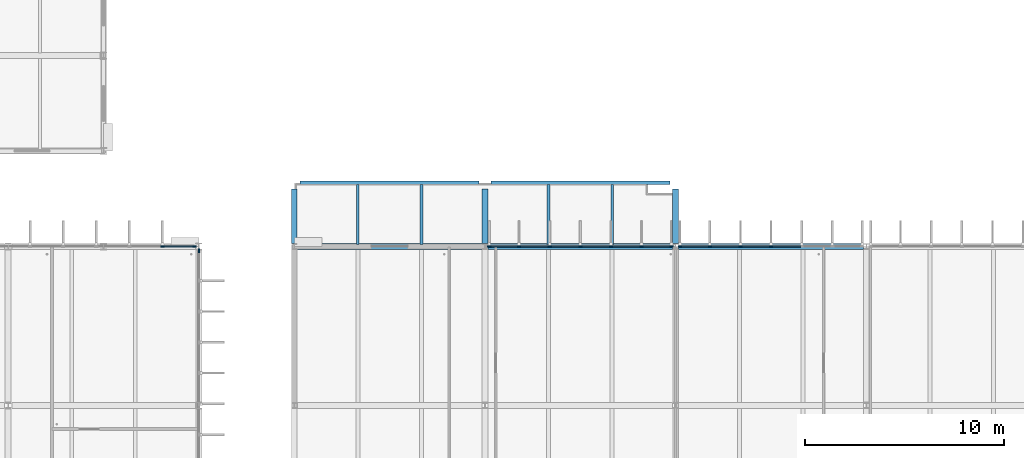
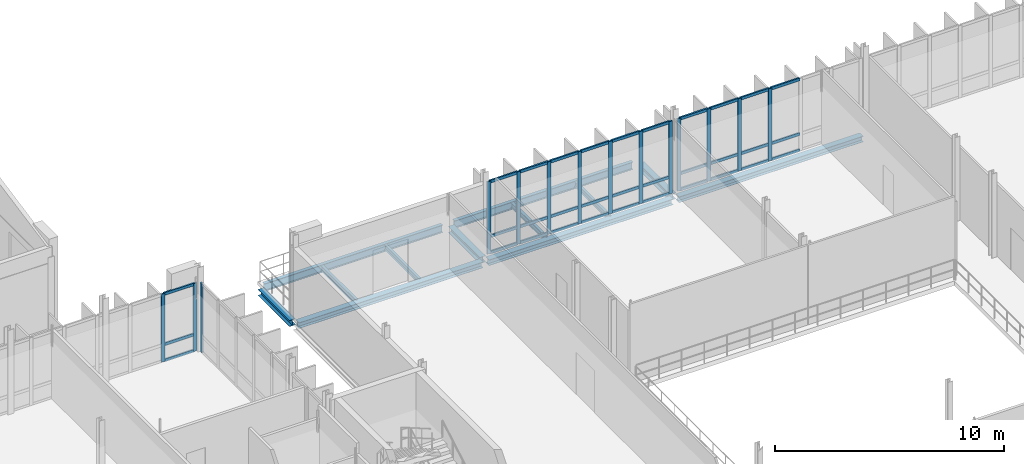
# One storey, part 26 of 93: 47 members, 12 beams, 4 elements without a shape of their own.
"""IFC4 building model written with IfcOpenShell, lengths in metres."""

from ifc_helpers import new_model, si_unit, direction, frame, origin, origin_2d, place, context, subcontext, project, spatial, rectangle, i_section, extrude, material, material_profile, profile_set, type_object, element, aggregate, save


model = new_model("IFC4")

# Units and contexts
model_context = context("Model", 3, precision=1e-05, world=origin(), true_north=direction((0.0, 1.0)))
body_context = subcontext(model_context, "Body", "Model", "MODEL_VIEW")
ifc_project = project(units=[si_unit("LENGTHUNIT", "METRE"), si_unit("AREAUNIT", "SQUARE_METRE"), si_unit("VOLUMEUNIT", "CUBIC_METRE"), si_unit("PLANEANGLEUNIT", "RADIAN"), si_unit("MASSUNIT", "GRAM", prefix="KILO")], contexts=[model_context])

# Site, building, storey
site_placement = place(None, origin())
site = spatial("IfcSite", under=ifc_project, at=site_placement, CompositionType="ELEMENT")
building_placement = place(site_placement, origin())
building = spatial("IfcBuilding", under=site, at=building_placement, Name="Dunescarp Central Library", CompositionType="ELEMENT")
storey_placement = place(building_placement, frame((0.0, 0.0, 14.10009765625)))
storey = spatial("IfcBuildingStorey", under=building, at=storey_placement, Name="L03", CompositionType="ELEMENT", Elevation=14.10009765625)

# Curtain wall, members
ifc_material_1 = material(Name="Marine-grade anodised aluminium 6063-T6", Category="aluminium")
curtain_wall_type = type_object("IfcCurtainWallType", Name="ARC-CW-STICK", PredefinedType="NOTDEFINED", material=ifc_material_1)
curtain_wall_1_placement = place(storey_placement, origin())
curtain_wall_1 = element("IfcCurtainWall", 1, at=curtain_wall_1_placement, inside=storey, type_object=curtain_wall_type, Name="L03 curtain wall CW-V1-020", PredefinedType="NOTDEFINED")
ifc_material_profile_1 = material_profile(ifc_material_1, rectangle(XDim=0.080078125, YDim=0.179931640625, at=origin_2d()), Name="AL 80x180")
ifc_profile_set_1 = profile_set([ifc_material_profile_1], Name="Marine-grade anodised aluminium 6063-T6")
member_type_1 = type_object("IfcMemberType", Name="ARC-CWM-180", PredefinedType="MULLION", material=ifc_profile_set_1)
member_1_placement = place(storey_placement, frame((31.7607421875, 36.800048828125, 0.0), z_axis=(0.0, 0.0, 1.0), x_axis=(0.0, 1.0, 0.0)))
member_1 = element("IfcMember", 2, at=member_1_placement, type_object=member_type_1, Name="CW-V1-020 mullion 7", PredefinedType="MULLION", context=body_context, shape_type="SweptSolid", body=[
    extrude(rectangle(XDim=0.080078125, YDim=0.179931640625, at=origin_2d()), origin(), (0.0, 0.0, 1.0), 3.625),
])
member_2_placement = place(storey_placement, frame((33.385009765625, 36.800048828125, 0.0), z_axis=(0.0, 0.0, 1.0), x_axis=(0.0, 1.0, 0.0)))
member_2 = element("IfcMember", 3, at=member_2_placement, type_object=member_type_1, Name="CW-V1-020 mullion 8", PredefinedType="MULLION", context=body_context, shape_type="SweptSolid", body=[
    extrude(rectangle(XDim=0.080078125, YDim=0.179931640625, at=origin_2d()), origin(), (0.0, 0.0, 1.0), 3.625),
])

# Curtain wall, member
curtain_wall_2_placement = place(storey_placement, origin())
curtain_wall_2 = element("IfcCurtainWall", 4, at=curtain_wall_2_placement, inside=storey, type_object=curtain_wall_type, Name="L03 curtain wall CW-V1-023", PredefinedType="NOTDEFINED")
member_3_placement = place(storey_placement, frame((33.60009765625, 36.5849609375, 0.0), z_axis=(0.0, 0.0, 1.0), x_axis=(1.0, 0.0, 0.0)))
member_3 = element("IfcMember", 5, at=member_3_placement, type_object=member_type_1, Name="CW-V1-023 mullion 1", PredefinedType="MULLION", context=body_context, shape_type="SweptSolid", body=[
    extrude(rectangle(XDim=0.080078125, YDim=0.179931640625, at=origin_2d()), origin(), (0.0, 0.0, 1.0), 3.6748046875),
])
aggregate(curtain_wall_2, [member_3])

# Curtain wall, members
curtain_wall_3_placement = place(storey_placement, origin())
curtain_wall_3 = element("IfcCurtainWall", 6, at=curtain_wall_3_placement, inside=storey, type_object=curtain_wall_type, Name="L03 curtain wall CW-V2-064", PredefinedType="NOTDEFINED")
member_4_placement = place(storey_placement, frame((48.215087890625, 36.800048828125, 0.0), z_axis=(0.0, 0.0, 1.0), x_axis=(0.0, 1.0, 0.0)))
member_4 = element("IfcMember", 7, at=member_4_placement, type_object=member_type_1, Name="CW-V2-064 mullion 1", PredefinedType="MULLION", context=body_context, shape_type="SweptSolid", body=[
    extrude(rectangle(XDim=0.080078125, YDim=0.179931640625, at=origin_2d()), origin(), (0.0, 0.0, 1.0), 3.86181640625),
])
member_5_placement = place(storey_placement, frame((49.716552734375, 36.800048828125, 0.0), z_axis=(0.0, 0.0, 1.0), x_axis=(0.0, 1.0, 0.0)))
member_5 = element("IfcMember", 8, at=member_5_placement, type_object=member_type_1, Name="CW-V2-064 mullion 2", PredefinedType="MULLION", context=body_context, shape_type="SweptSolid", body=[
    extrude(rectangle(XDim=0.080078125, YDim=0.179931640625, at=origin_2d()), origin(), (0.0, 0.0, 1.0), 3.86181640625),
])
member_6_placement = place(storey_placement, frame((51.25830078125, 36.800048828125, 0.0), z_axis=(0.0, 0.0, 1.0), x_axis=(0.0, 1.0, 0.0)))
member_6 = element("IfcMember", 9, at=member_6_placement, type_object=member_type_1, Name="CW-V2-064 mullion 3", PredefinedType="MULLION", context=body_context, shape_type="SweptSolid", body=[
    extrude(rectangle(XDim=0.080078125, YDim=0.179931640625, at=origin_2d()), origin(), (0.0, 0.0, 1.0), 3.86181640625),
])
member_7_placement = place(storey_placement, frame((52.800048828125, 36.800048828125, 0.0), z_axis=(0.0, 0.0, 1.0), x_axis=(0.0, 1.0, 0.0)))
member_7 = element("IfcMember", 10, at=member_7_placement, type_object=member_type_1, Name="CW-V2-064 mullion 4", PredefinedType="MULLION", context=body_context, shape_type="SweptSolid", body=[
    extrude(rectangle(XDim=0.080078125, YDim=0.179931640625, at=origin_2d()), origin(), (0.0, 0.0, 1.0), 3.86181640625),
])
member_8_placement = place(storey_placement, frame((54.341552734375, 36.800048828125, 0.0), z_axis=(0.0, 0.0, 1.0), x_axis=(0.0, 1.0, 0.0)))
member_8 = element("IfcMember", 11, at=member_8_placement, type_object=member_type_1, Name="CW-V2-064 mullion 5", PredefinedType="MULLION", context=body_context, shape_type="SweptSolid", body=[
    extrude(rectangle(XDim=0.080078125, YDim=0.179931640625, at=origin_2d()), origin(), (0.0, 0.0, 1.0), 3.86181640625),
])
member_9_placement = place(storey_placement, frame((55.88330078125, 36.800048828125, 0.0), z_axis=(0.0, 0.0, 1.0), x_axis=(0.0, 1.0, 0.0)))
member_9 = element("IfcMember", 12, at=member_9_placement, type_object=member_type_1, Name="CW-V2-064 mullion 6", PredefinedType="MULLION", context=body_context, shape_type="SweptSolid", body=[
    extrude(rectangle(XDim=0.080078125, YDim=0.179931640625, at=origin_2d()), origin(), (0.0, 0.0, 1.0), 3.86181640625),
])
member_10_placement = place(storey_placement, frame((57.385009765625, 36.800048828125, 0.0), z_axis=(0.0, 0.0, 1.0), x_axis=(0.0, 1.0, 0.0)))
member_10 = element("IfcMember", 13, at=member_10_placement, type_object=member_type_1, Name="CW-V2-064 mullion 7", PredefinedType="MULLION", context=body_context, shape_type="SweptSolid", body=[
    extrude(rectangle(XDim=0.080078125, YDim=0.179931640625, at=origin_2d()), origin(), (0.0, 0.0, 1.0), 3.86181640625),
])

curtain_wall_4_placement = place(storey_placement, origin())
curtain_wall_4 = element("IfcCurtainWall", 14, at=curtain_wall_4_placement, inside=storey, type_object=curtain_wall_type, Name="L03 curtain wall CW-V2-065", PredefinedType="NOTDEFINED")
member_11_placement = place(storey_placement, frame((57.81494140625, 36.800048828125, 0.0), z_axis=(0.0, 0.0, 1.0), x_axis=(0.0, 1.0, 0.0)))
member_11 = element("IfcMember", 15, at=member_11_placement, type_object=member_type_1, Name="CW-V2-065 mullion 1", PredefinedType="MULLION", context=body_context, shape_type="SweptSolid", body=[
    extrude(rectangle(XDim=0.080078125, YDim=0.179931640625, at=origin_2d()), origin(), (0.0, 0.0, 1.0), 3.86181640625),
])
member_12_placement = place(storey_placement, frame((59.316650390625, 36.800048828125, 0.0), z_axis=(0.0, 0.0, 1.0), x_axis=(0.0, 1.0, 0.0)))
member_12 = element("IfcMember", 16, at=member_12_placement, type_object=member_type_1, Name="CW-V2-065 mullion 2", PredefinedType="MULLION", context=body_context, shape_type="SweptSolid", body=[
    extrude(rectangle(XDim=0.080078125, YDim=0.179931640625, at=origin_2d()), origin(), (0.0, 0.0, 1.0), 3.86181640625),
])
member_13_placement = place(storey_placement, frame((60.8583984375, 36.800048828125, 0.0), z_axis=(0.0, 0.0, 1.0), x_axis=(0.0, 1.0, 0.0)))
member_13 = element("IfcMember", 17, at=member_13_placement, type_object=member_type_1, Name="CW-V2-065 mullion 3", PredefinedType="MULLION", context=body_context, shape_type="SweptSolid", body=[
    extrude(rectangle(XDim=0.080078125, YDim=0.179931640625, at=origin_2d()), origin(), (0.0, 0.0, 1.0), 3.86181640625),
])
member_14_placement = place(storey_placement, frame((62.39990234375, 36.800048828125, 0.0), z_axis=(0.0, 0.0, 1.0), x_axis=(0.0, 1.0, 0.0)))
member_14 = element("IfcMember", 18, at=member_14_placement, type_object=member_type_1, Name="CW-V2-065 mullion 4", PredefinedType="MULLION", context=body_context, shape_type="SweptSolid", body=[
    extrude(rectangle(XDim=0.080078125, YDim=0.179931640625, at=origin_2d()), origin(), (0.0, 0.0, 1.0), 3.86181640625),
])

# Member
ifc_material_profile_2 = material_profile(ifc_material_1, rectangle(XDim=0.080078125, YDim=0.14990234375, at=origin_2d()), Name="AL 80x150")
ifc_profile_set_2 = profile_set([ifc_material_profile_2], Name="Marine-grade anodised aluminium 6063-T6")
member_type_2 = type_object("IfcMemberType", Name="ARC-CWT-150", PredefinedType="USERDEFINED", material=ifc_profile_set_2)
member_15_placement = place(storey_placement, frame((31.80078125, 36.800048828125, 0.039794921875), z_axis=(1.0, 0.0, 0.0), x_axis=(0.0, 1.0, 0.0)))
member_15 = element("IfcMember", 19, at=member_15_placement, type_object=member_type_2, Name="CW-V1-020 transom 7.1", ObjectType="TRANSOM", PredefinedType="USERDEFINED", context=body_context, shape_type="SweptSolid", body=[
    extrude(rectangle(XDim=0.080078125, YDim=0.14990234375, at=origin_2d()), origin(), (0.0, 0.0, 1.0), 1.544189453125),
])

member_16_placement = place(storey_placement, frame((31.80078125, 36.800048828125, 0.89990234375), z_axis=(1.0, 0.0, 0.0), x_axis=(0.0, 1.0, 0.0)))
member_16 = element("IfcMember", 20, at=member_16_placement, type_object=member_type_2, Name="CW-V1-020 transom 7.2", ObjectType="TRANSOM", PredefinedType="USERDEFINED", context=body_context, shape_type="SweptSolid", body=[
    extrude(rectangle(XDim=0.080078125, YDim=0.14990234375, at=origin_2d()), origin(), (0.0, 0.0, 1.0), 1.544189453125),
])

member_17_placement = place(storey_placement, frame((31.80078125, 36.800048828125, 3.5849609375), z_axis=(1.0, 0.0, 0.0), x_axis=(0.0, 1.0, 0.0)))
member_17 = element("IfcMember", 21, at=member_17_placement, type_object=member_type_2, Name="CW-V1-020 transom 7.3", ObjectType="TRANSOM", PredefinedType="USERDEFINED", context=body_context, shape_type="SweptSolid", body=[
    extrude(rectangle(XDim=0.080078125, YDim=0.14990234375, at=origin_2d()), origin(), (0.0, 0.0, 1.0), 1.544189453125),
])

aggregate(curtain_wall_1, [member_1, member_2, member_15, member_16, member_17])

member_18_placement = place(storey_placement, frame((48.2548828125, 36.800048828125, 0.039794921875), z_axis=(1.0, 0.0, 0.0), x_axis=(0.0, 1.0, 0.0)))
member_18 = element("IfcMember", 22, at=member_18_placement, type_object=member_type_2, Name="CW-V2-064 transom 1.1", ObjectType="TRANSOM", PredefinedType="USERDEFINED", context=body_context, shape_type="SweptSolid", body=[
    extrude(rectangle(XDim=0.080078125, YDim=0.14990234375, at=origin_2d()), origin(), (0.0, 0.0, 1.0), 1.421875),
])

member_19_placement = place(storey_placement, frame((48.2548828125, 36.800048828125, 0.89990234375), z_axis=(1.0, 0.0, 0.0), x_axis=(0.0, 1.0, 0.0)))
member_19 = element("IfcMember", 23, at=member_19_placement, type_object=member_type_2, Name="CW-V2-064 transom 1.2", ObjectType="TRANSOM", PredefinedType="USERDEFINED", context=body_context, shape_type="SweptSolid", body=[
    extrude(rectangle(XDim=0.080078125, YDim=0.14990234375, at=origin_2d()), origin(), (0.0, 0.0, 1.0), 1.421875),
])

member_20_placement = place(storey_placement, frame((48.2548828125, 36.800048828125, 3.822021484375), z_axis=(1.0, 0.0, 0.0), x_axis=(0.0, 1.0, 0.0)))
member_20 = element("IfcMember", 24, at=member_20_placement, type_object=member_type_2, Name="CW-V2-064 transom 1.3", ObjectType="TRANSOM", PredefinedType="USERDEFINED", context=body_context, shape_type="SweptSolid", body=[
    extrude(rectangle(XDim=0.080078125, YDim=0.14990234375, at=origin_2d()), origin(), (0.0, 0.0, 1.0), 1.421875),
])

member_21_placement = place(storey_placement, frame((49.756591796875, 36.800048828125, 0.039794921875), z_axis=(1.0, 0.0, 0.0), x_axis=(0.0, 1.0, 0.0)))
member_21 = element("IfcMember", 25, at=member_21_placement, type_object=member_type_2, Name="CW-V2-064 transom 2.1", ObjectType="TRANSOM", PredefinedType="USERDEFINED", context=body_context, shape_type="SweptSolid", body=[
    extrude(rectangle(XDim=0.080078125, YDim=0.14990234375, at=origin_2d()), origin(), (0.0, 0.0, 1.0), 1.461669921875),
])

member_22_placement = place(storey_placement, frame((49.756591796875, 36.800048828125, 0.89990234375), z_axis=(1.0, 0.0, 0.0), x_axis=(0.0, 1.0, 0.0)))
member_22 = element("IfcMember", 26, at=member_22_placement, type_object=member_type_2, Name="CW-V2-064 transom 2.2", ObjectType="TRANSOM", PredefinedType="USERDEFINED", context=body_context, shape_type="SweptSolid", body=[
    extrude(rectangle(XDim=0.080078125, YDim=0.14990234375, at=origin_2d()), origin(), (0.0, 0.0, 1.0), 1.461669921875),
])

member_23_placement = place(storey_placement, frame((49.756591796875, 36.800048828125, 3.822021484375), z_axis=(1.0, 0.0, 0.0), x_axis=(0.0, 1.0, 0.0)))
member_23 = element("IfcMember", 27, at=member_23_placement, type_object=member_type_2, Name="CW-V2-064 transom 2.3", ObjectType="TRANSOM", PredefinedType="USERDEFINED", context=body_context, shape_type="SweptSolid", body=[
    extrude(rectangle(XDim=0.080078125, YDim=0.14990234375, at=origin_2d()), origin(), (0.0, 0.0, 1.0), 1.461669921875),
])

member_24_placement = place(storey_placement, frame((51.29833984375, 36.800048828125, 0.039794921875), z_axis=(1.0, 0.0, 0.0), x_axis=(0.0, 1.0, 0.0)))
member_24 = element("IfcMember", 28, at=member_24_placement, type_object=member_type_2, Name="CW-V2-064 transom 3.1", ObjectType="TRANSOM", PredefinedType="USERDEFINED", context=body_context, shape_type="SweptSolid", body=[
    extrude(rectangle(XDim=0.080078125, YDim=0.14990234375, at=origin_2d()), origin(), (0.0, 0.0, 1.0), 1.461669921875),
])

member_25_placement = place(storey_placement, frame((51.29833984375, 36.800048828125, 0.89990234375), z_axis=(1.0, 0.0, 0.0), x_axis=(0.0, 1.0, 0.0)))
member_25 = element("IfcMember", 29, at=member_25_placement, type_object=member_type_2, Name="CW-V2-064 transom 3.2", ObjectType="TRANSOM", PredefinedType="USERDEFINED", context=body_context, shape_type="SweptSolid", body=[
    extrude(rectangle(XDim=0.080078125, YDim=0.14990234375, at=origin_2d()), origin(), (0.0, 0.0, 1.0), 1.461669921875),
])

member_26_placement = place(storey_placement, frame((51.29833984375, 36.800048828125, 3.822021484375), z_axis=(1.0, 0.0, 0.0), x_axis=(0.0, 1.0, 0.0)))
member_26 = element("IfcMember", 30, at=member_26_placement, type_object=member_type_2, Name="CW-V2-064 transom 3.3", ObjectType="TRANSOM", PredefinedType="USERDEFINED", context=body_context, shape_type="SweptSolid", body=[
    extrude(rectangle(XDim=0.080078125, YDim=0.14990234375, at=origin_2d()), origin(), (0.0, 0.0, 1.0), 1.461669921875),
])

member_27_placement = place(storey_placement, frame((52.840087890625, 36.800048828125, 0.039794921875), z_axis=(1.0, 0.0, 0.0), x_axis=(0.0, 1.0, 0.0)))
member_27 = element("IfcMember", 31, at=member_27_placement, type_object=member_type_2, Name="CW-V2-064 transom 4.1", ObjectType="TRANSOM", PredefinedType="USERDEFINED", context=body_context, shape_type="SweptSolid", body=[
    extrude(rectangle(XDim=0.080078125, YDim=0.14990234375, at=origin_2d()), origin(), (0.0, 0.0, 1.0), 1.461669921875),
])

member_28_placement = place(storey_placement, frame((52.840087890625, 36.800048828125, 0.89990234375), z_axis=(1.0, 0.0, 0.0), x_axis=(0.0, 1.0, 0.0)))
member_28 = element("IfcMember", 32, at=member_28_placement, type_object=member_type_2, Name="CW-V2-064 transom 4.2", ObjectType="TRANSOM", PredefinedType="USERDEFINED", context=body_context, shape_type="SweptSolid", body=[
    extrude(rectangle(XDim=0.080078125, YDim=0.14990234375, at=origin_2d()), origin(), (0.0, 0.0, 1.0), 1.461669921875),
])

member_29_placement = place(storey_placement, frame((52.840087890625, 36.800048828125, 3.822021484375), z_axis=(1.0, 0.0, 0.0), x_axis=(0.0, 1.0, 0.0)))
member_29 = element("IfcMember", 33, at=member_29_placement, type_object=member_type_2, Name="CW-V2-064 transom 4.3", ObjectType="TRANSOM", PredefinedType="USERDEFINED", context=body_context, shape_type="SweptSolid", body=[
    extrude(rectangle(XDim=0.080078125, YDim=0.14990234375, at=origin_2d()), origin(), (0.0, 0.0, 1.0), 1.461669921875),
])

member_30_placement = place(storey_placement, frame((54.381591796875, 36.800048828125, 0.039794921875), z_axis=(1.0, 0.0, 0.0), x_axis=(0.0, 1.0, 0.0)))
member_30 = element("IfcMember", 34, at=member_30_placement, type_object=member_type_2, Name="CW-V2-064 transom 5.1", ObjectType="TRANSOM", PredefinedType="USERDEFINED", context=body_context, shape_type="SweptSolid", body=[
    extrude(rectangle(XDim=0.080078125, YDim=0.14990234375, at=origin_2d()), origin(), (0.0, 0.0, 1.0), 1.461669921875),
])

member_31_placement = place(storey_placement, frame((54.381591796875, 36.800048828125, 0.89990234375), z_axis=(1.0, 0.0, 0.0), x_axis=(0.0, 1.0, 0.0)))
member_31 = element("IfcMember", 35, at=member_31_placement, type_object=member_type_2, Name="CW-V2-064 transom 5.2", ObjectType="TRANSOM", PredefinedType="USERDEFINED", context=body_context, shape_type="SweptSolid", body=[
    extrude(rectangle(XDim=0.080078125, YDim=0.14990234375, at=origin_2d()), origin(), (0.0, 0.0, 1.0), 1.461669921875),
])

member_32_placement = place(storey_placement, frame((54.381591796875, 36.800048828125, 3.822021484375), z_axis=(1.0, 0.0, 0.0), x_axis=(0.0, 1.0, 0.0)))
member_32 = element("IfcMember", 36, at=member_32_placement, type_object=member_type_2, Name="CW-V2-064 transom 5.3", ObjectType="TRANSOM", PredefinedType="USERDEFINED", context=body_context, shape_type="SweptSolid", body=[
    extrude(rectangle(XDim=0.080078125, YDim=0.14990234375, at=origin_2d()), origin(), (0.0, 0.0, 1.0), 1.461669921875),
])

member_33_placement = place(storey_placement, frame((55.92333984375, 36.800048828125, 0.039794921875), z_axis=(1.0, 0.0, 0.0), x_axis=(0.0, 1.0, 0.0)))
member_33 = element("IfcMember", 37, at=member_33_placement, type_object=member_type_2, Name="CW-V2-064 transom 6.1", ObjectType="TRANSOM", PredefinedType="USERDEFINED", context=body_context, shape_type="SweptSolid", body=[
    extrude(rectangle(XDim=0.080078125, YDim=0.14990234375, at=origin_2d()), origin(), (0.0, 0.0, 1.0), 1.421630859375),
])

member_34_placement = place(storey_placement, frame((55.92333984375, 36.800048828125, 0.89990234375), z_axis=(1.0, 0.0, 0.0), x_axis=(0.0, 1.0, 0.0)))
member_34 = element("IfcMember", 38, at=member_34_placement, type_object=member_type_2, Name="CW-V2-064 transom 6.2", ObjectType="TRANSOM", PredefinedType="USERDEFINED", context=body_context, shape_type="SweptSolid", body=[
    extrude(rectangle(XDim=0.080078125, YDim=0.14990234375, at=origin_2d()), origin(), (0.0, 0.0, 1.0), 1.421630859375),
])

member_35_placement = place(storey_placement, frame((55.92333984375, 36.800048828125, 3.822021484375), z_axis=(1.0, 0.0, 0.0), x_axis=(0.0, 1.0, 0.0)))
member_35 = element("IfcMember", 39, at=member_35_placement, type_object=member_type_2, Name="CW-V2-064 transom 6.3", ObjectType="TRANSOM", PredefinedType="USERDEFINED", context=body_context, shape_type="SweptSolid", body=[
    extrude(rectangle(XDim=0.080078125, YDim=0.14990234375, at=origin_2d()), origin(), (0.0, 0.0, 1.0), 1.421630859375),
])

aggregate(curtain_wall_3, [member_4, member_5, member_6, member_7, member_8, member_9, member_10, member_18, member_19, member_20, member_21, member_22, member_23, member_24, member_25, member_26, member_27, member_28, member_29, member_30, member_31, member_32, member_33, member_34, member_35])

member_36_placement = place(storey_placement, frame((57.85498046875, 36.800048828125, 0.039794921875), z_axis=(1.0, 0.0, 0.0), x_axis=(0.0, 1.0, 0.0)))
member_36 = element("IfcMember", 40, at=member_36_placement, type_object=member_type_2, Name="CW-V2-065 transom 1.1", ObjectType="TRANSOM", PredefinedType="USERDEFINED", context=body_context, shape_type="SweptSolid", body=[
    extrude(rectangle(XDim=0.080078125, YDim=0.14990234375, at=origin_2d()), origin(), (0.0, 0.0, 1.0), 1.421630859375),
])

member_37_placement = place(storey_placement, frame((57.85498046875, 36.800048828125, 0.89990234375), z_axis=(1.0, 0.0, 0.0), x_axis=(0.0, 1.0, 0.0)))
member_37 = element("IfcMember", 41, at=member_37_placement, type_object=member_type_2, Name="CW-V2-065 transom 1.2", ObjectType="TRANSOM", PredefinedType="USERDEFINED", context=body_context, shape_type="SweptSolid", body=[
    extrude(rectangle(XDim=0.080078125, YDim=0.14990234375, at=origin_2d()), origin(), (0.0, 0.0, 1.0), 1.421630859375),
])

member_38_placement = place(storey_placement, frame((57.85498046875, 36.800048828125, 3.822021484375), z_axis=(1.0, 0.0, 0.0), x_axis=(0.0, 1.0, 0.0)))
member_38 = element("IfcMember", 42, at=member_38_placement, type_object=member_type_2, Name="CW-V2-065 transom 1.3", ObjectType="TRANSOM", PredefinedType="USERDEFINED", context=body_context, shape_type="SweptSolid", body=[
    extrude(rectangle(XDim=0.080078125, YDim=0.14990234375, at=origin_2d()), origin(), (0.0, 0.0, 1.0), 1.421630859375),
])

member_39_placement = place(storey_placement, frame((59.356689453125, 36.800048828125, 0.039794921875), z_axis=(1.0, 0.0, 0.0), x_axis=(0.0, 1.0, 0.0)))
member_39 = element("IfcMember", 43, at=member_39_placement, type_object=member_type_2, Name="CW-V2-065 transom 2.1", ObjectType="TRANSOM", PredefinedType="USERDEFINED", context=body_context, shape_type="SweptSolid", body=[
    extrude(rectangle(XDim=0.080078125, YDim=0.14990234375, at=origin_2d()), origin(), (0.0, 0.0, 1.0), 1.461669921875),
])

member_40_placement = place(storey_placement, frame((59.356689453125, 36.800048828125, 0.89990234375), z_axis=(1.0, 0.0, 0.0), x_axis=(0.0, 1.0, 0.0)))
member_40 = element("IfcMember", 44, at=member_40_placement, type_object=member_type_2, Name="CW-V2-065 transom 2.2", ObjectType="TRANSOM", PredefinedType="USERDEFINED", context=body_context, shape_type="SweptSolid", body=[
    extrude(rectangle(XDim=0.080078125, YDim=0.14990234375, at=origin_2d()), origin(), (0.0, 0.0, 1.0), 1.461669921875),
])

member_41_placement = place(storey_placement, frame((59.356689453125, 36.800048828125, 3.822021484375), z_axis=(1.0, 0.0, 0.0), x_axis=(0.0, 1.0, 0.0)))
member_41 = element("IfcMember", 45, at=member_41_placement, type_object=member_type_2, Name="CW-V2-065 transom 2.3", ObjectType="TRANSOM", PredefinedType="USERDEFINED", context=body_context, shape_type="SweptSolid", body=[
    extrude(rectangle(XDim=0.080078125, YDim=0.14990234375, at=origin_2d()), origin(), (0.0, 0.0, 1.0), 1.461669921875),
])

member_42_placement = place(storey_placement, frame((60.8984375, 36.800048828125, 0.039794921875), z_axis=(1.0, 0.0, 0.0), x_axis=(0.0, 1.0, 0.0)))
member_42 = element("IfcMember", 46, at=member_42_placement, type_object=member_type_2, Name="CW-V2-065 transom 3.1", ObjectType="TRANSOM", PredefinedType="USERDEFINED", context=body_context, shape_type="SweptSolid", body=[
    extrude(rectangle(XDim=0.080078125, YDim=0.14990234375, at=origin_2d()), origin(), (0.0, 0.0, 1.0), 1.461669921875),
])

member_43_placement = place(storey_placement, frame((60.8984375, 36.800048828125, 0.89990234375), z_axis=(1.0, 0.0, 0.0), x_axis=(0.0, 1.0, 0.0)))
member_43 = element("IfcMember", 47, at=member_43_placement, type_object=member_type_2, Name="CW-V2-065 transom 3.2", ObjectType="TRANSOM", PredefinedType="USERDEFINED", context=body_context, shape_type="SweptSolid", body=[
    extrude(rectangle(XDim=0.080078125, YDim=0.14990234375, at=origin_2d()), origin(), (0.0, 0.0, 1.0), 1.461669921875),
])

member_44_placement = place(storey_placement, frame((60.8984375, 36.800048828125, 3.822021484375), z_axis=(1.0, 0.0, 0.0), x_axis=(0.0, 1.0, 0.0)))
member_44 = element("IfcMember", 48, at=member_44_placement, type_object=member_type_2, Name="CW-V2-065 transom 3.3", ObjectType="TRANSOM", PredefinedType="USERDEFINED", context=body_context, shape_type="SweptSolid", body=[
    extrude(rectangle(XDim=0.080078125, YDim=0.14990234375, at=origin_2d()), origin(), (0.0, 0.0, 1.0), 1.461669921875),
])

member_45_placement = place(storey_placement, frame((62.43994140625, 36.800048828125, 0.039794921875), z_axis=(1.0, 0.0, 0.0), x_axis=(0.0, 1.0, 0.0)))
member_45 = element("IfcMember", 49, at=member_45_placement, type_object=member_type_2, Name="CW-V2-065 transom 4.1", ObjectType="TRANSOM", PredefinedType="USERDEFINED", context=body_context, shape_type="SweptSolid", body=[
    extrude(rectangle(XDim=0.080078125, YDim=0.14990234375, at=origin_2d()), origin(), (0.0, 0.0, 1.0), 1.461669921875),
])

member_46_placement = place(storey_placement, frame((62.43994140625, 36.800048828125, 0.89990234375), z_axis=(1.0, 0.0, 0.0), x_axis=(0.0, 1.0, 0.0)))
member_46 = element("IfcMember", 50, at=member_46_placement, type_object=member_type_2, Name="CW-V2-065 transom 4.2", ObjectType="TRANSOM", PredefinedType="USERDEFINED", context=body_context, shape_type="SweptSolid", body=[
    extrude(rectangle(XDim=0.080078125, YDim=0.14990234375, at=origin_2d()), origin(), (0.0, 0.0, 1.0), 1.461669921875),
])

member_47_placement = place(storey_placement, frame((62.43994140625, 36.800048828125, 3.822021484375), z_axis=(1.0, 0.0, 0.0), x_axis=(0.0, 1.0, 0.0)))
member_47 = element("IfcMember", 51, at=member_47_placement, type_object=member_type_2, Name="CW-V2-065 transom 4.3", ObjectType="TRANSOM", PredefinedType="USERDEFINED", context=body_context, shape_type="SweptSolid", body=[
    extrude(rectangle(XDim=0.080078125, YDim=0.14990234375, at=origin_2d()), origin(), (0.0, 0.0, 1.0), 1.461669921875),
])

aggregate(curtain_wall_4, [member_11, member_12, member_13, member_14, member_36, member_37, member_38, member_39, member_40, member_41, member_42, member_43, member_44, member_45, member_46, member_47])

# Beams
ifc_material_2 = material(Name="Steel S355JR", Category="steel")
ifc_material_profile_3 = material_profile(ifc_material_2, i_section(OverallWidth=0.300048828125, OverallDepth=0.31005859375, WebThickness=0.009033203125, FlangeThickness=0.015380859375, at=origin_2d()), Name="HEA 320")
ifc_profile_set_3 = profile_set([ifc_material_profile_3], Name="Steel S355JR")
beam_type_1 = type_object("IfcBeamType", Name="STR-BM-HEA320", PredefinedType="BEAM", material=ifc_profile_set_3)
for number, where, z_axis, x_axis, name in (
    (52, (38.551025390625, 36.800048828125, -0.39501953125), (1.0, 0.0, 0.0), (0.0, 1.0, 0.0), "L03 girder BM-L03-0487"),
    (53, (48.15087890625, 36.800048828125, -0.39501953125), (1.0, 0.0, 0.0), (0.0, 1.0, 0.0), "L03 girder BM-L03-0502"),
    (54, (57.7509765625, 36.800048828125, -0.39501953125), (1.0, 0.0, 0.0), (0.0, 1.0, 0.0), "L03 girder BM-L03-0517"),
):
    element("IfcBeam", number, at=place(storey_placement, frame(where, z_axis=z_axis, x_axis=x_axis)), inside=storey, type_object=beam_type_1, Name=name, PredefinedType="BEAM", context=body_context, shape_type="SweptSolid", body=[
        extrude(i_section(OverallWidth=0.300048828125, OverallDepth=0.31005859375, WebThickness=0.009033203125, FlangeThickness=0.015380859375, at=origin_2d()), origin(), (0.0, 0.0, 1.0), 9.298095703125),
    ])
ifc_material_profile_4 = material_profile(ifc_material_2, i_section(OverallWidth=0.300048828125, OverallDepth=0.330078125, WebThickness=0.009521484375, FlangeThickness=0.0166015625, at=origin_2d()), Name="HEA 340")
ifc_profile_set_4 = profile_set([ifc_material_profile_4], Name="Steel S355JR")
beam_type_2 = type_object("IfcBeamType", Name="STR-BM-HEA340", PredefinedType="BEAM", material=ifc_profile_set_4)
for number, where, z_axis, x_axis, name in (
    (55, (38.39990234375, 36.9541015625, -0.35498046875), (0.0, 1.0, 0.0), (-1.0, 0.0, 0.0), "L03 girder BM-L03-1511"),
    (56, (48.0, 36.9541015625, -0.35498046875), (0.0, 1.0, 0.0), (-1.0, 0.0, 0.0), "L03 girder BM-L03-1512"),
    (57, (57.60009765625, 36.9541015625, -0.35498046875), (0.0, 1.0, 0.0), (-1.0, 0.0, 0.0), "L03 girder BM-L03-1516"),
):
    element("IfcBeam", number, at=place(storey_placement, frame(where, z_axis=z_axis, x_axis=x_axis)), inside=storey, type_object=beam_type_2, Name=name, PredefinedType="BEAM", context=body_context, shape_type="SweptSolid", body=[
        extrude(i_section(OverallWidth=0.300048828125, OverallDepth=0.330078125, WebThickness=0.009521484375, FlangeThickness=0.0166015625, at=origin_2d()), origin(), (0.0, 0.0, 1.0), 2.748779296875),
    ])
ifc_material_profile_5 = material_profile(ifc_material_2, i_section(OverallWidth=0.135009765625, OverallDepth=0.27001953125, WebThickness=0.006591796875, FlangeThickness=0.01025390625, at=origin_2d()), Name="IPE 270")
ifc_profile_set_5 = profile_set([ifc_material_profile_5], Name="Steel S355JR")
beam_type_3 = type_object("IfcBeamType", Name="STR-JS-IPE270", PredefinedType="JOIST", material=ifc_profile_set_5)
for number, where, z_axis, x_axis, name in (
    (58, (41.60009765625, 36.886962890625, -0.3251953125), (0.0, 1.0, 0.0), (-1.0, 0.0, 0.0), "L03 joist JS-L03-1513"),
    (59, (44.800048828125, 36.886962890625, -0.3251953125), (0.0, 1.0, 0.0), (-1.0, 0.0, 0.0), "L03 joist JS-L03-1514"),
    (60, (51.199951171875, 36.886962890625, -0.3251953125), (0.0, 1.0, 0.0), (-1.0, 0.0, 0.0), "L03 joist JS-L03-1517"),
    (61, (54.39990234375, 36.886962890625, -0.3251953125), (0.0, 1.0, 0.0), (-1.0, 0.0, 0.0), "L03 joist JS-L03-1518"),
):
    element("IfcBeam", number, at=place(storey_placement, frame(where, z_axis=z_axis, x_axis=x_axis)), inside=storey, type_object=beam_type_3, Name=name, PredefinedType="JOIST", context=body_context, shape_type="SweptSolid", body=[
        extrude(i_section(OverallWidth=0.135009765625, OverallDepth=0.27001953125, WebThickness=0.006591796875, FlangeThickness=0.01025390625, at=origin_2d()), origin(), (0.0, 0.0, 1.0), 3.026123046875),
    ])
ifc_material_profile_6 = material_profile(ifc_material_2, i_section(OverallWidth=0.177978515625, OverallDepth=0.406494140625, WebThickness=0.0078125, FlangeThickness=0.0126953125, at=origin_2d()), Name="UB 406x178x60")
ifc_profile_set_6 = profile_set([ifc_material_profile_6], Name="Steel S355JR")
beam_type_4 = type_object("IfcBeamType", Name="STR-SP-UB406", PredefinedType="SPANDREL", material=ifc_profile_set_6)
for number, where, z_axis, x_axis, name in (
    (62, (38.697021484375, 40.0, -0.39306640625), (1.0, 0.0, 0.0), (0.0, 1.0, 0.0), "L03 girder BM-L03-1510"),
    (63, (48.297119140625, 40.0, -0.39306640625), (1.0, 0.0, 0.0), (0.0, 1.0, 0.0), "L03 girder BM-L03-1515"),
):
    element("IfcBeam", number, at=place(storey_placement, frame(where, z_axis=z_axis, x_axis=x_axis)), inside=storey, type_object=beam_type_4, Name=name, PredefinedType="SPANDREL", context=body_context, shape_type="SweptSolid", body=[
        extrude(i_section(OverallWidth=0.177978515625, OverallDepth=0.406494140625, WebThickness=0.0078125, FlangeThickness=0.0126953125, at=origin_2d()), origin(), (0.0, 0.0, 1.0), 9.005859375),
    ])

save(model, "model.ifc")
